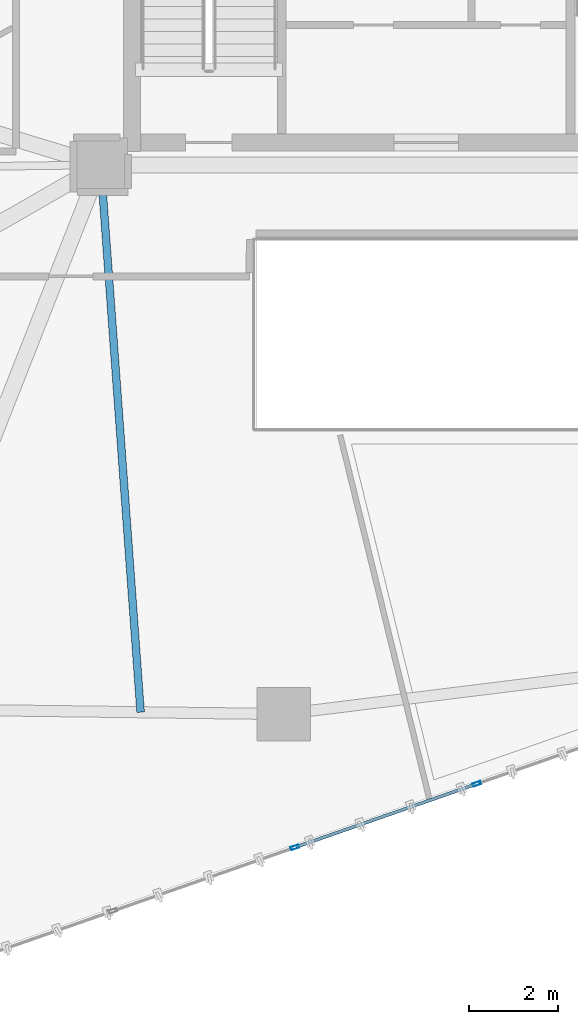
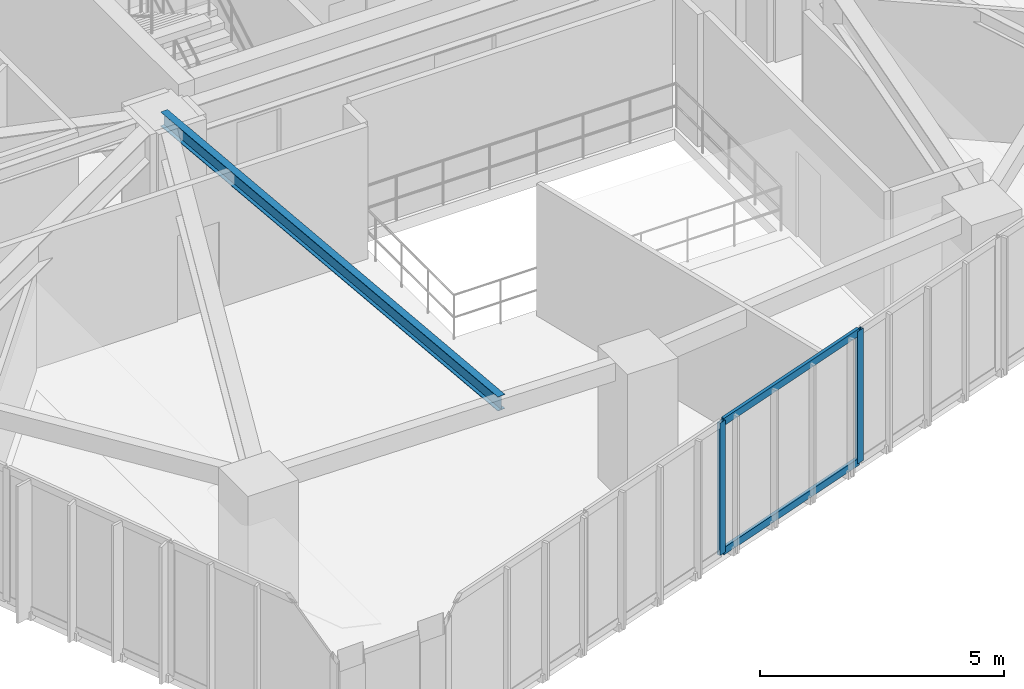
# One storey, part 4 of 21: 4 members, 1 beam, 1 element without a shape of its own.
"""IFC4 building model written with IfcOpenShell, lengths in metres."""

import ifcopenshell
import ifcopenshell.guid

model = None  # the IFC model being written
_history = None  # IfcOwnerHistory: only IFC2X3 demands one
_inside = {}  # id of a spatial element -> (the spatial element, [elements in it])
_under = {}  # id of a project, library or spatial element -> (it, [spatial elements below it])
_declared = {}  # id of a project -> (the project, [libraries it declares])
_typed = {}  # id of a type object -> (the type object, [elements of that type])
_made_of = {}  # id of a material, layer set ... -> (it, [elements and type objects made of it])


def new_model(schema):
    """Start an empty IFC model of exactly this schema.

    Asked for "IFC4X3", IfcOpenShell would pick the latest addendum, in which some entities
    have other attributes; the version numbers below select the first issue.
    IFC2X3 requires an IfcOwnerHistory on every rooted entity: one is made here for all.
    """
    global model, _history
    if schema == "IFC4X3":
        model = ifcopenshell.file(schema_version=(4, 3, 0, 0))
    else:
        model = ifcopenshell.file(schema=schema)
    _inside.clear()
    _under.clear()
    _declared.clear()
    _typed.clear()
    _made_of.clear()
    _history = None
    if model.schema == "IFC2X3":
        org = make("IfcOrganization", Name="unknown")
        user = make(
            "IfcPersonAndOrganization",
            ThePerson=make("IfcPerson", FamilyName="unknown"),
            TheOrganization=org,
        )
        app = make(
            "IfcApplication",
            ApplicationDeveloper=org,
            Version="unknown",
            ApplicationFullName="unknown",
            ApplicationIdentifier="unknown",
        )
        _history = make(
            "IfcOwnerHistory",
            OwningUser=user,
            OwningApplication=app,
            ChangeAction="ADDED",
            CreationDate=0,
        )
    return model


def make(cls, **values):
    """One entity of the class cls with the attributes given. An attribute that is None is left unset."""
    return model.create_entity(
        cls, **{name: value for name, value in values.items() if value is not None}
    )


def rooted(cls, **values):
    """An entity with a GlobalId (a new one), such as an element, a storey or a relation."""
    return make(cls, GlobalId=ifcopenshell.guid.new(), OwnerHistory=_history, **values)


def si_unit(unit_type, name, prefix=None):
    """IfcSIUnit, for example si_unit("LENGTHUNIT", "METRE", prefix="MILLI")."""
    return make("IfcSIUnit", UnitType=unit_type, Prefix=prefix, Name=name)


def assignment(units):
    """IfcUnitAssignment: the units of a project."""
    return None if units is None else make("IfcUnitAssignment", Units=units)


def point(xyz):
    """IfcCartesianPoint."""
    return None if xyz is None else make("IfcCartesianPoint", Coordinates=xyz)


def direction(xyz):
    """IfcDirection."""
    return None if xyz is None else make("IfcDirection", DirectionRatios=xyz)


def frame(location, z_axis=None, x_axis=None):
    """IfcAxis2Placement3D, a coordinate frame: its origin and axes. An axis left out is left unset."""
    return make(
        "IfcAxis2Placement3D",
        Location=point(location),
        Axis=direction(z_axis),
        RefDirection=direction(x_axis),
    )


def frame_2d(location, x_axis=None):
    """IfcAxis2Placement2D, a coordinate frame in the plane: its origin and x axis."""
    return make(
        "IfcAxis2Placement2D", Location=point(location), RefDirection=direction(x_axis)
    )


def origin():
    """The frame at (0, 0, 0) with its axes left unset."""
    return frame((0.0, 0.0, 0.0))


def origin_2d():
    """The frame at (0, 0) in the plane with its x axis left unset."""
    return frame_2d((0.0, 0.0))


def place(relative_to, where):
    """IfcLocalPlacement: puts the frame where relative to a parent placement (None: the world)."""
    return make(
        "IfcLocalPlacement", PlacementRelTo=relative_to, RelativePlacement=where
    )


def context(
    kind, dimensions, precision=None, world=None, true_north=None, identifier=None
):
    """IfcGeometricRepresentationContext, for example the 3D "Model" context."""
    return make(
        "IfcGeometricRepresentationContext",
        ContextIdentifier=identifier,
        ContextType=kind,
        CoordinateSpaceDimension=dimensions,
        Precision=precision,
        WorldCoordinateSystem=world,
        TrueNorth=true_north,
    )


def subcontext(parent, identifier, kind, view, scale=None):
    """IfcGeometricRepresentationSubContext, for example "Body" below "Model"."""
    return make(
        "IfcGeometricRepresentationSubContext",
        ContextIdentifier=identifier,
        ContextType=kind,
        ParentContext=parent,
        TargetScale=scale,
        TargetView=view,
    )


def project(units=None, contexts=None):
    """IfcProject with its units and contexts."""
    return rooted(
        "IfcProject",
        Name="project",
        RepresentationContexts=contexts,
        UnitsInContext=assignment(units),
    )


def spatial(cls, under=None, at=None, **own):
    """A site, building, storey or space (cls), placed at a placement, below another one or the project."""
    s = rooted(cls, ObjectPlacement=at, **own)
    if under is not None:
        _under.setdefault(under.id(), (under, []))[1].append(s)
    return s


def profile(cls, at=None, kind="AREA", **sizes):
    """A parametric profile (cls). Its sizes go by their IFC names, for example OverallWidth=200.0."""
    return make(cls, ProfileType=kind, Position=at, **sizes)


def hollow_rectangle(**sizes):
    """IfcRectangleHollowProfileDef."""
    return profile("IfcRectangleHollowProfileDef", **sizes)


def i_section(**sizes):
    """IfcIShapeProfileDef."""
    return profile("IfcIShapeProfileDef", **sizes)


def extrude(swept, where, along, depth):
    """IfcExtrudedAreaSolid: the profile swept, set in the frame where, extruded along a direction by depth."""
    return make(
        "IfcExtrudedAreaSolid",
        SweptArea=swept,
        Position=where,
        ExtrudedDirection=direction(along),
        Depth=depth,
    )


def shape(context_of_items, identifier, shape_type, items):
    """IfcShapeRepresentation: the items that make up one representation, for example the "Body"."""
    return make(
        "IfcShapeRepresentation",
        ContextOfItems=context_of_items,
        RepresentationIdentifier=identifier,
        RepresentationType=shape_type,
        Items=items,
    )


def source(mapping_origin, context_of_items, identifier, shape_type, items):
    """IfcRepresentationMap: a shape defined once, which mapped items show again and again."""
    return make(
        "IfcRepresentationMap",
        MappingOrigin=mapping_origin,
        MappedRepresentation=shape(context_of_items, identifier, shape_type, items),
    )


def transform(
    local_origin,
    x_axis=None,
    y_axis=None,
    z_axis=None,
    scale=None,
    scale2=None,
    scale3=None,
    uniform=True,
):
    """IfcCartesianTransformationOperator3D, or its non-uniform kind. x_axis, y_axis, z_axis: its Axis1, 2, 3."""
    if uniform:
        return make(
            "IfcCartesianTransformationOperator3D",
            Axis1=direction(x_axis),
            Axis2=direction(y_axis),
            LocalOrigin=point(local_origin),
            Scale=scale,
            Axis3=direction(z_axis),
        )
    return make(
        "IfcCartesianTransformationOperator3DnonUniform",
        Axis1=direction(x_axis),
        Axis2=direction(y_axis),
        LocalOrigin=point(local_origin),
        Scale=scale,
        Axis3=direction(z_axis),
        Scale2=scale2,
        Scale3=scale3,
    )


def mapped(mapping_source, mapping_target):
    """IfcMappedItem: shows the shape of a source again, moved by a transform."""
    return make(
        "IfcMappedItem", MappingSource=mapping_source, MappingTarget=mapping_target
    )


def material(Name=None, Category=None):
    """IfcMaterial."""
    return make("IfcMaterial", Name=Name, Category=Category)


def layer(
    of_material, thickness, ventilated=None, Name=None, Category=None, Priority=None
):
    """IfcMaterialLayer: one layer of a wall or slab, of a material (None: an air gap)."""
    return make(
        "IfcMaterialLayer",
        Material=of_material,
        LayerThickness=thickness,
        IsVentilated=ventilated,
        Name=Name,
        Category=Category,
        Priority=Priority,
    )


def layer_set(layers, Name=None):
    """IfcMaterialLayerSet."""
    return make("IfcMaterialLayerSet", MaterialLayers=layers, LayerSetName=Name)


def material_profile(
    of_material, cross_section, Name=None, Category=None, Priority=None
):
    """IfcMaterialProfile: a cross section and its material."""
    return make(
        "IfcMaterialProfile",
        Name=Name,
        Material=of_material,
        Profile=cross_section,
        Priority=Priority,
        Category=Category,
    )


def profile_set(profiles, Name=None, composite=None):
    """IfcMaterialProfileSet."""
    return make(
        "IfcMaterialProfileSet",
        Name=Name,
        MaterialProfiles=profiles,
        CompositeProfile=composite,
    )


def made_of(thing, what):
    """Note that an element or type object is made of a material, layer set ...; save() writes the relation."""
    if what is not None:
        _made_of.setdefault(what.id(), (what, []))[1].append(thing)
    return thing


def type_object(cls, material=None, **own):
    """A type object (cls), such as IfcWallType, which elements share."""
    return made_of(rooted(cls, **own), material)


def type_shapes(of_type, sources):
    """Give a type object the sources (RepresentationMaps) that its elements show as mapped items."""
    of_type.RepresentationMaps = sources


def element(
    cls,
    number,
    at=None,
    inside=None,
    cuts=None,
    type_object=None,
    material=None,
    context=None,
    identifier="Body",
    shape_type=None,
    held_by="IfcProductDefinitionShape",
    body=None,
    shapes=None,
    **own,
):
    """One element of the class cls, such as IfcWall. Its Tag is "e" and its number.

    at: its placement. inside: the storey or other place that contains it. cuts: it is an
    opening in that element (IfcRelVoidsElement). A single representation is given by context,
    identifier, shape_type and body (its items); several are given by shapes. held_by: the class
    of the entity that holds the representations. save() writes the other relations.
    """
    e = rooted(cls, Tag="e%d" % number, ObjectPlacement=at, **own)
    if body is not None:
        shapes = [shape(context, identifier, shape_type, body)]
    if shapes is not None:
        e.Representation = make(held_by, Representations=shapes)
    if inside is not None:
        _inside.setdefault(inside.id(), (inside, []))[1].append(e)
    if cuts is not None:
        rooted(
            "IfcRelVoidsElement", RelatingBuildingElement=cuts, RelatedOpeningElement=e
        )
    if type_object is not None:
        _typed.setdefault(type_object.id(), (type_object, []))[1].append(e)
    return made_of(e, material)


def aggregate(whole, parts):
    """IfcRelAggregates: a whole, such as a stair, and the parts it consists of."""
    return rooted("IfcRelAggregates", RelatingObject=whole, RelatedObjects=parts)


def save(model, path):
    """Write the relations noted so far, then the file.

    IfcRelAggregates (storeys below a building ...), IfcRelContainedInSpatialStructure (elements
    in a storey), IfcRelDefinesByType, IfcRelAssociatesMaterial and IfcRelDeclares: one each for
    every whole, place, type object, material and project.
    """
    for whole, parts in _under.values():
        aggregate(whole, parts)
    for where, things in _inside.values():
        rooted(
            "IfcRelContainedInSpatialStructure",
            RelatedElements=things,
            RelatingStructure=where,
        )
    for kind, things in _typed.values():
        rooted("IfcRelDefinesByType", RelatedObjects=things, RelatingType=kind)
    for what, things in _made_of.values():
        rooted("IfcRelAssociatesMaterial", RelatedObjects=things, RelatingMaterial=what)
    for by, libraries in _declared.values():
        rooted("IfcRelDeclares", RelatingContext=by, RelatedDefinitions=libraries)
    model.write(path)


model = new_model("IFC4")

# Units and contexts
model_context = context("Model", 3, precision=1e-05, world=origin(), true_north=direction((0.0, 1.0)))
body_context = subcontext(model_context, "Body", "Model", "MODEL_VIEW")
ifc_project = project(units=[si_unit("LENGTHUNIT", "METRE"), si_unit("AREAUNIT", "SQUARE_METRE"), si_unit("VOLUMEUNIT", "CUBIC_METRE"), si_unit("PLANEANGLEUNIT", "RADIAN"), si_unit("MASSUNIT", "GRAM", prefix="KILO")], contexts=[model_context])

# Site, building, storey
site_placement = place(None, origin())
site = spatial("IfcSite", under=ifc_project, at=site_placement, CompositionType="ELEMENT")
building_placement = place(site_placement, origin())
building = spatial("IfcBuilding", under=site, at=building_placement, Name="Talar Marvaseh", CompositionType="ELEMENT")
storey_placement = place(building_placement, frame((0.0, 0.0, 147.0)))
storey = spatial("IfcBuildingStorey", under=building, at=storey_placement, Name="L38", CompositionType="ELEMENT", Elevation=147.0)

# Beam
ifc_material_1 = material(Name="Steel S355", Category="steel")
ifc_material_profile_1 = material_profile(ifc_material_1, i_section(OverallWidth=0.172119140625, OverallDepth=0.35791015625, WebThickness=0.0078125, FlangeThickness=0.01318359375, at=origin_2d()), Name="W360x57")
ifc_profile_set_1 = profile_set([ifc_material_profile_1], Name="Steel S355")
beam_type = type_object("IfcBeamType", Name="Zone 2 Secondary Floor Joist W360x57", PredefinedType="JOIST", material=ifc_profile_set_1)
beam_placement = place(storey_placement, frame((19.595947265625, 13.224853515625, 3.131103515625), z_axis=(-0.07279902415, 0.997346630857, 0.0), x_axis=(-0.997346630857, -0.07279902415, 0.0)))
element("IfcBeam", 1, at=beam_placement, inside=storey, type_object=beam_type, Name="L38 Zone 2 Secondary Floor Joist W360x57", PredefinedType="JOIST", context=body_context, shape_type="SweptSolid", body=[
    extrude(i_section(OverallWidth=0.172119140625, OverallDepth=0.35791015625, WebThickness=0.0078125, FlangeThickness=0.01318359375, at=origin_2d()), origin(), (0.0, 0.0, 1.0), 12.307861328125),
])

# Curtain wall, members
ifc_material_2 = material(Name="Architectural Aluminium", Category="aluminium")
ifc_layer = layer(ifc_material_2, 0.199951171875)
ifc_layer_set = layer_set([ifc_layer], Name="Architectural Aluminium")
curtain_wall_type = type_object("IfcCurtainWallType", Name="Unitised Acoustic Library Curtain Wall Z2", PredefinedType="NOTDEFINED", material=ifc_layer_set)
curtain_wall_placement = place(storey_placement, origin())
curtain_wall = element("IfcCurtainWall", 2, at=curtain_wall_placement, inside=storey, type_object=curtain_wall_type, Name="L38 Unitised Acoustic Library Curtain Wall Z2", PredefinedType="NOTDEFINED")
ifc_material_profile_2 = material_profile(ifc_material_2, hollow_rectangle(XDim=0.074951171875, YDim=0.179931640625, WallThickness=0.0048828125, at=origin_2d()), Name="RHS180x75x5")
ifc_profile_set_2 = profile_set([ifc_material_profile_2], Name="Architectural Aluminium")
member_type_1 = type_object("IfcMemberType", Name="Unitised Curtain Wall Standard Mullion RHS180x75x5", PredefinedType="MULLION", material=ifc_profile_set_2)
shared_shape_1 = source(origin(), body_context, "Body", "SweptSolid", [
    extrude(hollow_rectangle(XDim=0.074951171875, YDim=0.179931640625, WallThickness=0.0048828125, at=origin_2d()), origin(), (0.0, 0.0, 1.0), 3.31005859375),
])
type_shapes(member_type_1, [shared_shape_1])
member_1_placement = place(storey_placement, frame((27.134765625, 11.618896484375, 0.0), z_axis=(0.0, 0.0, 1.0), x_axis=(0.329836690552, -0.94403800642, 0.0)))
member_1 = element("IfcMember", 3, at=member_1_placement, type_object=member_type_1, Name="CW-Z2 mullion 3", PredefinedType="MULLION", context=body_context, shape_type="MappedRepresentation", body=[
    mapped(shared_shape_1, transform((0.0, 0.0, 0.0), x_axis=(1.0, 0.0, 0.0), y_axis=(0.0, 1.0, 0.0), z_axis=(0.0, 0.0, 1.0), scale=1.0)),
])
member_2_placement = place(storey_placement, frame((23.05322265625, 10.19287109375, 0.0), z_axis=(0.0, 0.0, 1.0), x_axis=(0.329836690552, -0.94403800642, 0.0)))
member_2 = element("IfcMember", 4, at=member_2_placement, type_object=member_type_1, Name="CW-Z2 mullion 4", PredefinedType="MULLION", context=body_context, shape_type="MappedRepresentation", body=[
    mapped(shared_shape_1, transform((0.0, 0.0, 0.0), x_axis=(1.0, 0.0, 0.0), y_axis=(0.0, 1.0, 0.0), z_axis=(0.0, 0.0, 1.0), scale=1.0)),
])
ifc_material_profile_3 = material_profile(ifc_material_2, hollow_rectangle(XDim=0.074951171875, YDim=0.179931640625, WallThickness=0.0048828125, at=origin_2d()), Name="RHS180x75x5")
ifc_profile_set_3 = profile_set([ifc_material_profile_3], Name="Architectural Aluminium")
member_type_2 = type_object("IfcMemberType", Name="Unitised Curtain Wall Transom RHS180x75x5", PredefinedType="USERDEFINED", material=ifc_profile_set_3)
shared_shape_2 = source(origin(), body_context, "Body", "SweptSolid", [
    extrude(hollow_rectangle(XDim=0.074951171875, YDim=0.179931640625, WallThickness=0.0048828125, at=origin_2d()), origin(), (0.0, 0.0, 1.0), 4.24853515625),
])
type_shapes(member_type_2, [shared_shape_2])
member_3_placement = place(storey_placement, frame((27.099365234375, 11.606689453125, 0.03759765625), z_axis=(-0.944033817416, -0.329848679813, 0.0), x_axis=(0.329848679813, -0.944033817416, 0.0)))
member_3 = element("IfcMember", 5, at=member_3_placement, type_object=member_type_2, Name="CW-Z2 transom 3.1", ObjectType="TRANSOM", PredefinedType="USERDEFINED", context=body_context, shape_type="MappedRepresentation", body=[
    mapped(shared_shape_2, transform((0.0, 0.0, 0.0), x_axis=(1.0, 0.0, 0.0), y_axis=(0.0, 1.0, 0.0), z_axis=(0.0, 0.0, 1.0), scale=1.0)),
])
member_4_placement = place(storey_placement, frame((27.099365234375, 11.606689453125, 3.2724609375), z_axis=(-0.944033817416, -0.329848679813, 0.0), x_axis=(0.329848679813, -0.944033817416, 0.0)))
member_4 = element("IfcMember", 6, at=member_4_placement, type_object=member_type_2, Name="CW-Z2 transom 3.2", ObjectType="TRANSOM", PredefinedType="USERDEFINED", context=body_context, shape_type="MappedRepresentation", body=[
    mapped(shared_shape_2, transform((0.0, 0.0, 0.0), x_axis=(1.0, 0.0, 0.0), y_axis=(0.0, 1.0, 0.0), z_axis=(0.0, 0.0, 1.0), scale=1.0)),
])
aggregate(curtain_wall, [member_1, member_2, member_3, member_4])

save(model, "model.ifc")
